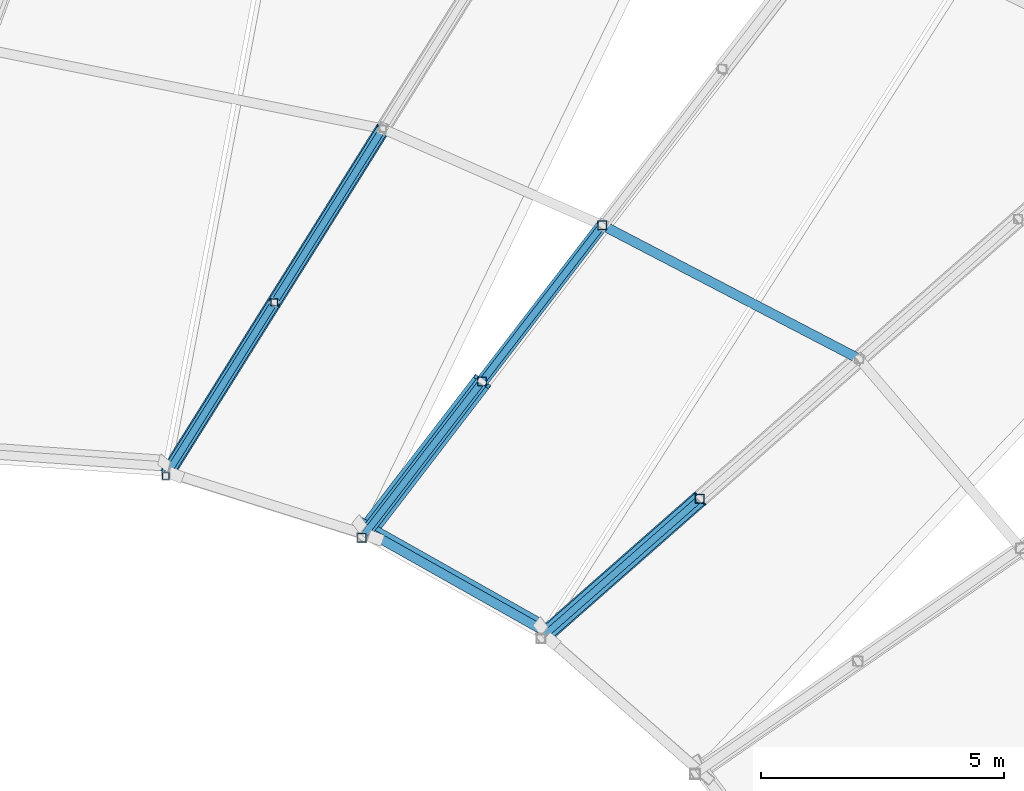
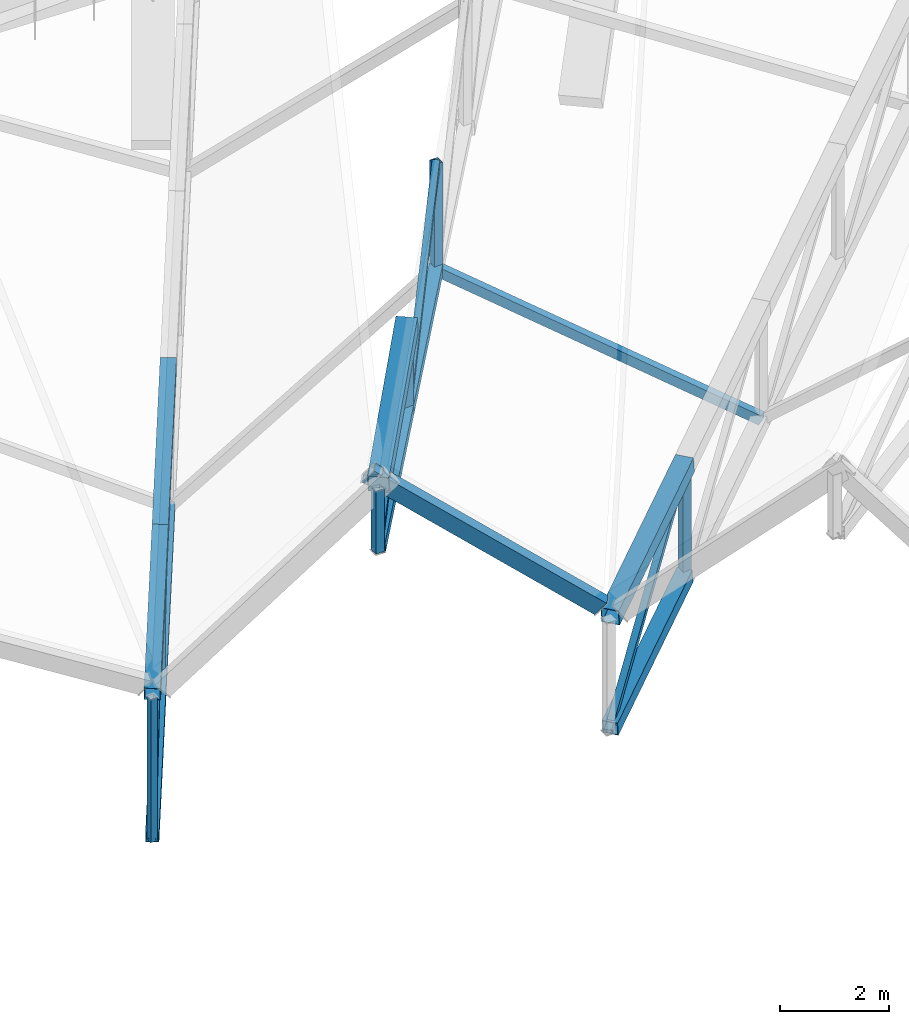
# One storey, part 185 of 344: 21 members, 1 beam.
"""IFC4 building model written with IfcOpenShell, lengths in metres."""

from ifc_helpers import new_model, si_unit, direction, frame, origin, origin_2d, place, context, subcontext, project, spatial, hollow_rectangle, extrude, material, material_profile, profile_set, type_object, element, save


model = new_model("IFC4")

# Units and contexts
model_context = context("Model", 3, precision=1e-05, world=origin(), true_north=direction((0.0, 1.0)))
body_context = subcontext(model_context, "Body", "Model", "MODEL_VIEW")
ifc_project = project(units=[si_unit("LENGTHUNIT", "METRE"), si_unit("AREAUNIT", "SQUARE_METRE"), si_unit("VOLUMEUNIT", "CUBIC_METRE"), si_unit("PLANEANGLEUNIT", "RADIAN"), si_unit("MASSUNIT", "GRAM", prefix="KILO")], contexts=[model_context])

# Site, building, storey
site_placement = place(None, origin())
site = spatial("IfcSite", under=ifc_project, at=site_placement, CompositionType="ELEMENT")
building_placement = place(site_placement, origin())
building = spatial("IfcBuilding", under=site, at=building_placement, Name="Meseta Stadium", CompositionType="ELEMENT")
storey_placement = place(building_placement, frame((0.0, 0.0, 24.0)))
storey = spatial("IfcBuildingStorey", under=building, at=storey_placement, Name="L04", CompositionType="ELEMENT", Elevation=24.0)

# Beam
ifc_material_1 = material(Name="Steel S355", Category="steel")
ifc_material_profile_1 = material_profile(ifc_material_1, hollow_rectangle(XDim=0.199951171875, YDim=0.39990234375, WallThickness=0.01611328125, at=origin_2d()), Name="RHS 400x200x16")
ifc_profile_set_1 = profile_set([ifc_material_profile_1], Name="Steel S355")
beam_type = type_object("IfcBeamType", Name="RHS 400x200x16 tip ring beam", PredefinedType="BEAM", material=ifc_profile_set_1)
beam_placement = place(storey_placement, frame((38.40087890625, 62.007080078125, 3.570068359375), z_axis=(-0.713166373351, 0.401733052023, 0.574459988889), x_axis=(-0.598459583743, -0.775650425663, -0.2005306555)))
element("IfcBeam", 1, at=beam_placement, inside=storey, type_object=beam_type, Name="TIP RING BEAM 14", PredefinedType="BEAM", context=body_context, shape_type="SweptSolid", body=[
    extrude(hollow_rectangle(XDim=0.199951171875, YDim=0.39990234375, WallThickness=0.01611328125, at=origin_2d()), origin(), (0.0, 0.0, 1.0), 5.2099609375),
])

# Members
ifc_material_2 = material(Name="Steel S355", Category="steel")
ifc_material_profile_2 = material_profile(ifc_material_2, hollow_rectangle(XDim=0.139892578125, YDim=0.139892578125, WallThickness=0.0048828125, at=origin_2d()), Name="SHS 140x140x5")
ifc_profile_set_2 = profile_set([ifc_material_profile_2], Name="Steel S355")
member_type_1 = type_object("IfcMemberType", Name="SHS 140x140x5 diagonal", PredefinedType="BRACE", material=ifc_profile_set_2)
member_1_placement = place(storey_placement, frame((38.40625, 61.752197265625, 0.9072265625), z_axis=(0.612465724576, 0.538314569574, 0.578880955295), x_axis=(-0.660174887179, 0.751111921312, 0.0)))
element("IfcMember", 2, at=member_1_placement, inside=storey, type_object=member_type_1, Name="ROOF TRUSS RT-13 diagonal", PredefinedType="BRACE", context=body_context, shape_type="SweptSolid", body=[
    extrude(hollow_rectangle(XDim=0.139892578125, YDim=0.139892578125, WallThickness=0.0048828125, at=origin_2d()), origin(), (0.0, 0.0, 1.0), 5.350341796875),
])
member_2_placement = place(storey_placement, frame((34.722412109375, 63.827392578125, 4.978515625), z_axis=(0.533941033352, 0.694418280208, 0.482379751871), x_axis=(-0.792749139849, 0.609548030321, 0.0)))
element("IfcMember", 3, at=member_2_placement, inside=storey, type_object=member_type_1, Name="ROOF TRUSS RT-14 diagonal", PredefinedType="BRACE", context=body_context, shape_type="SweptSolid", body=[
    extrude(hollow_rectangle(XDim=0.139892578125, YDim=0.139892578125, WallThickness=0.0048828125, at=origin_2d()), origin(), (0.0, 0.0, 1.0), 4.635498046875),
])
member_3_placement = place(storey_placement, frame((37.197509765625, 67.04638671875, 5.31298828125), z_axis=(0.505400512102, 0.65729983745, 0.559041363456), x_axis=(-0.792749139849, 0.609548030321, 0.0)))
element("IfcMember", 4, at=member_3_placement, inside=storey, type_object=member_type_1, Name="ROOF TRUSS RT-14 diagonal", PredefinedType="BRACE", context=body_context, shape_type="SweptSolid", body=[
    extrude(hollow_rectangle(XDim=0.139892578125, YDim=0.139892578125, WallThickness=0.0048828125, at=origin_2d()), origin(), (0.0, 0.0, 1.0), 4.897216796875),
])
member_4_placement = place(storey_placement, frame((30.68212890625, 65.100341796875, -0.85302734375), z_axis=(0.38565285101, 0.616673984515, 0.686283524012), x_axis=(-0.847855154969, 0.53022790967, 0.0)))
element("IfcMember", 5, at=member_4_placement, inside=storey, type_object=member_type_1, Name="ROOF TRUSS RT-15 diagonal", PredefinedType="BRACE", context=body_context, shape_type="SweptSolid", body=[
    extrude(hollow_rectangle(XDim=0.139892578125, YDim=0.139892578125, WallThickness=0.0048828125, at=origin_2d()), origin(), (0.0, 0.0, 1.0), 5.797607421875),
])
member_5_placement = place(storey_placement, frame((32.91796875, 68.675537109375, -0.07421875), z_axis=(0.385662865992, 0.616647886735, 0.686301346043), x_axis=(-0.847838876292, 0.530253939021, 0.0)))
element("IfcMember", 6, at=member_5_placement, inside=storey, type_object=member_type_1, Name="ROOF TRUSS RT-15 diagonal", PredefinedType="BRACE", context=body_context, shape_type="SweptSolid", body=[
    extrude(hollow_rectangle(XDim=0.139892578125, YDim=0.139892578125, WallThickness=0.0048828125, at=origin_2d()), origin(), (0.0, 0.0, 1.0), 5.79736328125),
])
ifc_material_3 = material(Name="Steel S355", Category="steel")
ifc_material_profile_3 = material_profile(ifc_material_3, hollow_rectangle(XDim=0.139892578125, YDim=0.139892578125, WallThickness=0.0048828125, at=origin_2d()), Name="SHS 140x140x5")
ifc_profile_set_3 = profile_set([ifc_material_profile_3], Name="Steel S355")
member_type_2 = type_object("IfcMemberType", Name="SHS 140x140x5 post", PredefinedType="POST", material=ifc_profile_set_3)
member_6_placement = place(storey_placement, frame((32.91796875, 68.675537109375, -0.07421875), z_axis=(0.0, 0.0, 1.0), x_axis=(1.0, 0.0, 0.0)))
element("IfcMember", 7, at=member_6_placement, inside=storey, type_object=member_type_2, Name="ROOF TRUSS RT-15 post", PredefinedType="POST", context=body_context, shape_type="SweptSolid", body=[
    extrude(hollow_rectangle(XDim=0.139892578125, YDim=0.139892578125, WallThickness=0.0048828125, at=origin_2d()), origin(), (0.0, 0.0, 1.0), 3.199951171875),
])
ifc_material_4 = material(Name="Steel S355", Category="steel")
ifc_material_profile_4 = material_profile(ifc_material_4, hollow_rectangle(XDim=0.139892578125, YDim=0.139892578125, WallThickness=0.0048828125, at=origin_2d()), Name="SHS 140x140x5")
ifc_profile_set_4 = profile_set([ifc_material_profile_4], Name="Steel S355")
member_type_3 = type_object("IfcMemberType", Name="SHS 140x140x5 rim post", PredefinedType="POST", material=ifc_profile_set_4)
member_7_placement = place(storey_placement, frame((30.68212890625, 65.100341796875, -0.85302734375), z_axis=(0.0, 0.0, 1.0), x_axis=(1.0, 0.0, 0.0)))
element("IfcMember", 8, at=member_7_placement, inside=storey, type_object=member_type_3, Name="ROOF TRUSS RT-15 post", PredefinedType="POST", context=body_context, shape_type="SweptSolid", body=[
    extrude(hollow_rectangle(XDim=0.139892578125, YDim=0.139892578125, WallThickness=0.0048828125, at=origin_2d()), origin(), (0.0, 0.0, 1.0), 3.199951171875),
])
ifc_material_5 = material(Name="Steel S355", Category="steel")
ifc_material_profile_5 = material_profile(ifc_material_5, hollow_rectangle(XDim=0.179931640625, YDim=0.179931640625, WallThickness=0.00634765625, at=origin_2d()), Name="SHS 180x180x6.3")
ifc_profile_set_5 = profile_set([ifc_material_profile_5], Name="Steel S355")
member_type_4 = type_object("IfcMemberType", Name="SHS 180x180x6.3 post", PredefinedType="POST", material=ifc_profile_set_5)
member_8_placement = place(storey_placement, frame((41.68310546875, 64.63232421875, 1.5107421875), z_axis=(0.0, 0.0, 1.0), x_axis=(1.0, 0.0, 0.0)))
element("IfcMember", 9, at=member_8_placement, inside=storey, type_object=member_type_4, Name="ROOF TRUSS RT-13 post", PredefinedType="POST", context=body_context, shape_type="SweptSolid", body=[
    extrude(hollow_rectangle(XDim=0.179931640625, YDim=0.179931640625, WallThickness=0.00634765625, at=origin_2d()), origin(), (0.0, 0.0, 1.0), 2.49365234375),
])
member_9_placement = place(storey_placement, frame((37.197509765625, 67.04638671875, 5.31298828125), z_axis=(0.0, 0.0, 1.0), x_axis=(1.0, 0.0, 0.0)))
element("IfcMember", 10, at=member_9_placement, inside=storey, type_object=member_type_4, Name="ROOF TRUSS RT-14 post", PredefinedType="POST", context=body_context, shape_type="SweptSolid", body=[
    extrude(hollow_rectangle(XDim=0.179931640625, YDim=0.179931640625, WallThickness=0.00634765625, at=origin_2d()), origin(), (0.0, 0.0, 1.0), 1.901611328125),
])
member_10_placement = place(storey_placement, frame((39.672607421875, 70.265380859375, 5.6474609375), z_axis=(0.0, 0.0, 1.0), x_axis=(1.0, 0.0, 0.0)))
element("IfcMember", 11, at=member_10_placement, inside=storey, type_object=member_type_4, Name="ROOF TRUSS RT-14 post", PredefinedType="POST", context=body_context, shape_type="SweptSolid", body=[
    extrude(hollow_rectangle(XDim=0.179931640625, YDim=0.179931640625, WallThickness=0.00634765625, at=origin_2d()), origin(), (0.0, 0.0, 1.0), 2.4033203125),
])
ifc_material_6 = material(Name="Steel S355", Category="steel")
ifc_material_profile_6 = material_profile(ifc_material_6, hollow_rectangle(XDim=0.179931640625, YDim=0.179931640625, WallThickness=0.00634765625, at=origin_2d()), Name="SHS 180x180x6.3")
ifc_profile_set_6 = profile_set([ifc_material_profile_6], Name="Steel S355")
member_type_5 = type_object("IfcMemberType", Name="SHS 180x180x6.3 rim post", PredefinedType="POST", material=ifc_profile_set_6)
member_11_placement = place(storey_placement, frame((34.722412109375, 63.827392578125, 4.978515625), z_axis=(0.0, 0.0, 1.0), x_axis=(1.0, 0.0, 0.0)))
element("IfcMember", 12, at=member_11_placement, inside=storey, type_object=member_type_5, Name="ROOF TRUSS RT-14 post", PredefinedType="POST", context=body_context, shape_type="SweptSolid", body=[
    extrude(hollow_rectangle(XDim=0.179931640625, YDim=0.179931640625, WallThickness=0.00634765625, at=origin_2d()), origin(), (0.0, 0.0, 1.0), 1.39990234375),
])
ifc_material_7 = material(Name="Steel S355", Category="steel")
ifc_material_profile_7 = material_profile(ifc_material_7, hollow_rectangle(XDim=0.199951171875, YDim=0.199951171875, WallThickness=0.008056640625, at=origin_2d()), Name="SHS 200x200x8")
ifc_profile_set_7 = profile_set([ifc_material_profile_7], Name="Steel S355")
member_type_6 = type_object("IfcMemberType", Name="SHS 200x200x8 strut", PredefinedType="STRUT", material=ifc_profile_set_7)
member_12_placement = place(storey_placement, frame((44.960205078125, 67.51220703125, 2.114013671875), z_axis=(-0.763009011542, 0.397287497606, 0.509882234003), x_axis=(-0.461831060545, -0.886967908955, 0.0)))
element("IfcMember", 13, at=member_12_placement, inside=storey, type_object=member_type_6, Name="ROOF TRUSS STRUT RT-13/14", PredefinedType="STRUT", context=body_context, shape_type="SweptSolid", body=[
    extrude(hollow_rectangle(XDim=0.199951171875, YDim=0.199951171875, WallThickness=0.008056640625, at=origin_2d()), origin(), (0.0, 0.0, 1.0), 6.929931640625),
])
ifc_material_8 = material(Name="Steel S355", Category="steel")
ifc_material_profile_8 = material_profile(ifc_material_8, hollow_rectangle(XDim=0.25, YDim=0.25, WallThickness=0.010009765625, at=origin_2d()), Name="SHS 250x250x10")
ifc_profile_set_8 = profile_set([ifc_material_profile_8], Name="Steel S355")
member_type_7 = type_object("IfcMemberType", Name="SHS 250x250x10 bottom chord", PredefinedType="CHORD", material=ifc_profile_set_8)
member_13_placement = place(storey_placement, frame((34.777099609375, 63.8984375, 4.98583984375), z_axis=(0.607480243453, 0.790079711426, 0.082108485599), x_axis=(-0.792756535065, 0.609538412334, 0.0)))
element("IfcMember", 14, at=member_13_placement, inside=storey, type_object=member_type_7, Name="ROOF TRUSS RT-14 bottom chord", PredefinedType="CHORD", context=body_context, shape_type="SweptSolid", body=[
    extrude(hollow_rectangle(XDim=0.25, YDim=0.25, WallThickness=0.010009765625, at=origin_2d()), origin(), (0.0, 0.0, 1.0), 3.984375),
])
member_14_placement = place(storey_placement, frame((37.197509765625, 67.04638671875, 5.31298828125), z_axis=(0.607490590337, 0.790073331386, 0.082093323019), x_axis=(-0.792749139849, 0.609548030321, 0.0)))
element("IfcMember", 15, at=member_14_placement, inside=storey, type_object=member_type_7, Name="ROOF TRUSS RT-14 bottom chord", PredefinedType="CHORD", context=body_context, shape_type="SweptSolid", body=[
    extrude(hollow_rectangle(XDim=0.25, YDim=0.25, WallThickness=0.010009765625, at=origin_2d()), origin(), (0.0, 0.0, 1.0), 4.07421875),
])
member_15_placement = place(storey_placement, frame((30.718505859375, 65.15869140625, -0.84033203125), z_axis=(0.521428606051, 0.833741710529, 0.181623150825), x_axis=(-0.847842857191, 0.530247573789, 0.0)))
element("IfcMember", 16, at=member_15_placement, inside=storey, type_object=member_type_7, Name="ROOF TRUSS RT-15 bottom chord", PredefinedType="CHORD", context=body_context, shape_type="SweptSolid", body=[
    extrude(hollow_rectangle(XDim=0.25, YDim=0.25, WallThickness=0.010009765625, at=origin_2d()), origin(), (0.0, 0.0, 1.0), 4.21826171875),
])
member_16_placement = place(storey_placement, frame((32.91796875, 68.675537109375, -0.07421875), z_axis=(0.521434116644, 0.833736598604, 0.181630796254), x_axis=(-0.847838876292, 0.530253939021, 0.0)))
element("IfcMember", 17, at=member_16_placement, inside=storey, type_object=member_type_7, Name="ROOF TRUSS RT-15 bottom chord", PredefinedType="CHORD", context=body_context, shape_type="SweptSolid", body=[
    extrude(hollow_rectangle(XDim=0.25, YDim=0.25, WallThickness=0.010009765625, at=origin_2d()), origin(), (0.0, 0.0, 1.0), 4.287841796875),
])
ifc_material_9 = material(Name="Steel S355", Category="steel")
ifc_material_profile_9 = material_profile(ifc_material_9, hollow_rectangle(XDim=0.300048828125, YDim=0.300048828125, WallThickness=0.010009765625, at=origin_2d()), Name="SHS 300x300x10")
ifc_profile_set_9 = profile_set([ifc_material_profile_9], Name="Steel S355")
member_type_8 = type_object("IfcMemberType", Name="SHS 300x300x10 bottom chord", PredefinedType="CHORD", material=ifc_profile_set_9)
member_17_placement = place(storey_placement, frame((38.47314453125, 61.81103515625, 0.919677734375), z_axis=(0.744034335335, 0.653944385392, 0.137002367344), x_axis=(-0.660169306624, 0.751116826194, 0.0)))
element("IfcMember", 18, at=member_17_placement, inside=storey, type_object=member_type_8, Name="ROOF TRUSS RT-13 bottom chord", PredefinedType="CHORD", context=body_context, shape_type="SweptSolid", body=[
    extrude(hollow_rectangle(XDim=0.300048828125, YDim=0.300048828125, WallThickness=0.010009765625, at=origin_2d()), origin(), (0.0, 0.0, 1.0), 4.314208984375),
])
ifc_material_10 = material(Name="Steel S355", Category="steel")
ifc_material_profile_10 = material_profile(ifc_material_10, hollow_rectangle(XDim=0.300048828125, YDim=0.300048828125, WallThickness=0.010009765625, at=origin_2d()), Name="SHS 300x300x10")
ifc_profile_set_10 = profile_set([ifc_material_profile_10], Name="Steel S355")
member_type_9 = type_object("IfcMemberType", Name="SHS 300x300x10 top chord", PredefinedType="CHORD", material=ifc_profile_set_10)
member_18_placement = place(storey_placement, frame((30.718505859375, 65.15869140625, 2.359619140625), z_axis=(0.521428606051, 0.833741710529, 0.181623150825), x_axis=(-0.847842857191, 0.530247573789, 0.0)))
element("IfcMember", 19, at=member_18_placement, inside=storey, type_object=member_type_9, Name="ROOF TRUSS RT-15 top chord", PredefinedType="CHORD", context=body_context, shape_type="SweptSolid", body=[
    extrude(hollow_rectangle(XDim=0.300048828125, YDim=0.300048828125, WallThickness=0.010009765625, at=origin_2d()), origin(), (0.0, 0.0, 1.0), 4.21826171875),
])
member_19_placement = place(storey_placement, frame((32.91796875, 68.675537109375, 3.125732421875), z_axis=(0.521434116644, 0.833736598604, 0.181630796254), x_axis=(-0.847838876292, 0.530253939021, 0.0)))
element("IfcMember", 20, at=member_19_placement, inside=storey, type_object=member_type_9, Name="ROOF TRUSS RT-15 top chord", PredefinedType="CHORD", context=body_context, shape_type="SweptSolid", body=[
    extrude(hollow_rectangle(XDim=0.300048828125, YDim=0.300048828125, WallThickness=0.010009765625, at=origin_2d()), origin(), (0.0, 0.0, 1.0), 4.287841796875),
])
ifc_material_11 = material(Name="Steel S355", Category="steel")
ifc_material_profile_11 = material_profile(ifc_material_11, hollow_rectangle(XDim=0.35009765625, YDim=0.35009765625, WallThickness=0.010009765625, at=origin_2d()), Name="SHS 350x350x10")
ifc_profile_set_11 = profile_set([ifc_material_profile_11], Name="Steel S355")
member_type_10 = type_object("IfcMemberType", Name="SHS 350x350x10 top chord", PredefinedType="CHORD", material=ifc_profile_set_11)
member_20_placement = place(storey_placement, frame((38.47314453125, 61.81103515625, 3.413330078125), z_axis=(0.744034335335, 0.653944385392, 0.137002367344), x_axis=(-0.660169306624, 0.751116826194, 0.0)))
element("IfcMember", 21, at=member_20_placement, inside=storey, type_object=member_type_10, Name="ROOF TRUSS RT-13 top chord", PredefinedType="CHORD", context=body_context, shape_type="SweptSolid", body=[
    extrude(hollow_rectangle(XDim=0.35009765625, YDim=0.35009765625, WallThickness=0.010009765625, at=origin_2d()), origin(), (0.0, 0.0, 1.0), 4.314208984375),
])
ifc_material_12 = material(Name="Steel S355", Category="steel")
ifc_material_profile_12 = material_profile(ifc_material_12, hollow_rectangle(XDim=0.39990234375, YDim=0.39990234375, WallThickness=0.010009765625, at=origin_2d()), Name="SHS 400x400x10")
ifc_profile_set_12 = profile_set([ifc_material_profile_12], Name="Steel S355")
member_type_11 = type_object("IfcMemberType", Name="SHS 400x400x10 top chord", PredefinedType="CHORD", material=ifc_profile_set_12)
member_21_placement = place(storey_placement, frame((34.776123046875, 63.897216796875, 6.396728515625), z_axis=(0.597022188653, 0.776465941866, 0.201656012501), x_axis=(-0.792751914793, 0.609544421344, 0.0)))
element("IfcMember", 22, at=member_21_placement, inside=storey, type_object=member_type_11, Name="ROOF TRUSS RT-14 top chord", PredefinedType="CHORD", context=body_context, shape_type="SweptSolid", body=[
    extrude(hollow_rectangle(XDim=0.39990234375, YDim=0.39990234375, WallThickness=0.010009765625, at=origin_2d()), origin(), (0.0, 0.0, 1.0), 4.0556640625),
])

save(model, "model.ifc")
